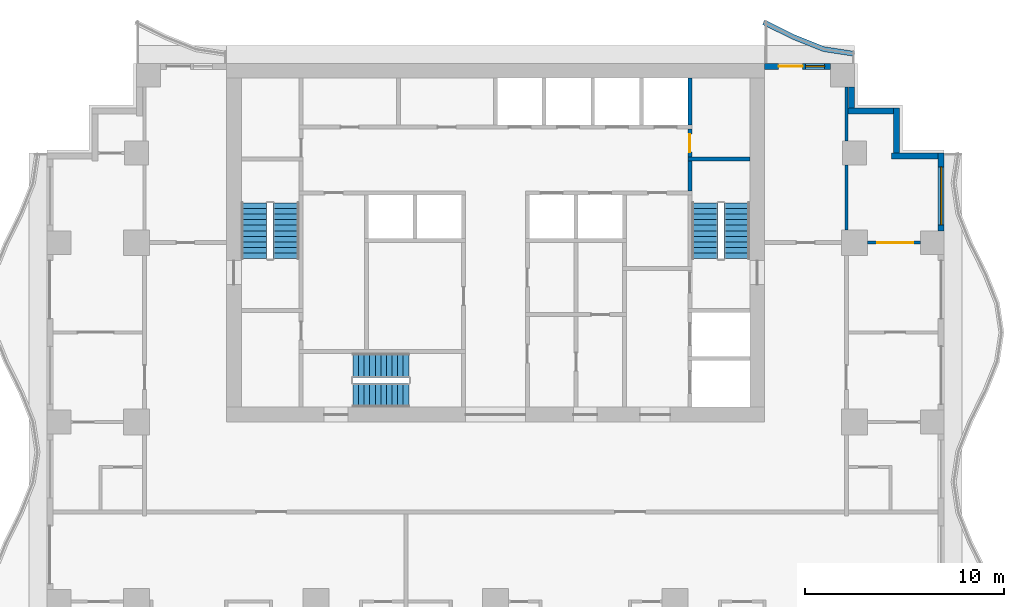
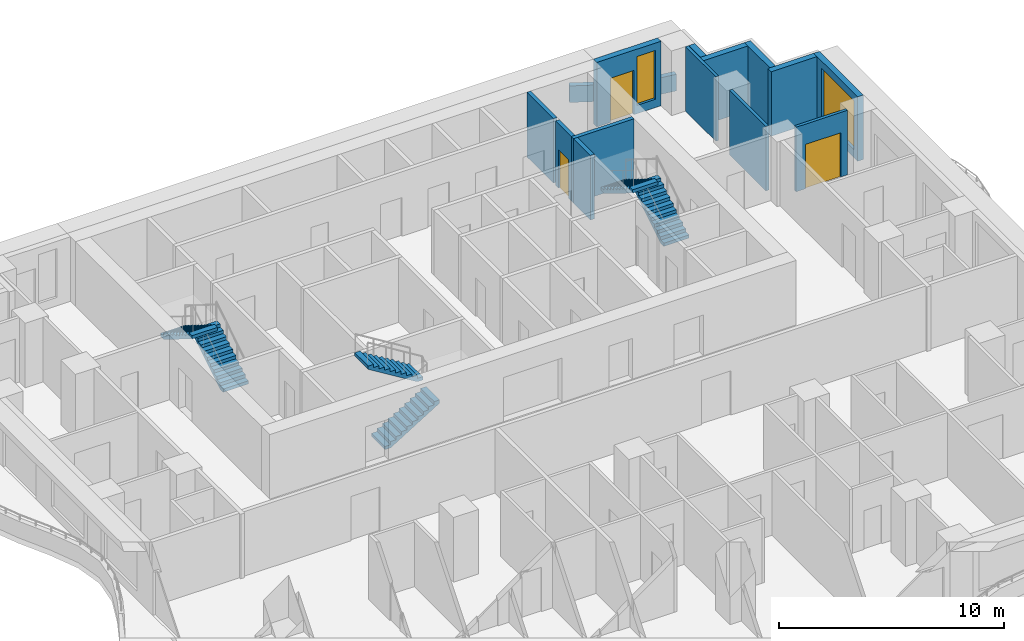
# One storey, part 6 of 10: 14 walls, 6 stair flights, 3 doors, 2 windows, 5 openings, 3 elements without a shape of their own.
"""IFC4 building model written with IfcOpenShell, lengths in metres."""

from ifc_helpers import new_model, si_unit, direction, frame, frame_2d, origin, place, context, subcontext, project, spatial, polyline, rectangle, outline, extrude, material, layer, layer_set, type_object, element, fill, aggregate, save


model = new_model("IFC4")

# Units and contexts
model_context = context("Model", 3, precision=1e-05, world=origin(), true_north=direction((0.0, 1.0)))
body_context = subcontext(model_context, "Body", "Model", "MODEL_VIEW")
ifc_project = project(units=[si_unit("LENGTHUNIT", "METRE"), si_unit("AREAUNIT", "SQUARE_METRE"), si_unit("VOLUMEUNIT", "CUBIC_METRE"), si_unit("PLANEANGLEUNIT", "RADIAN"), si_unit("MASSUNIT", "GRAM", prefix="KILO")], contexts=[model_context])

# Site, building, storey
site_placement = place(None, origin())
site = spatial("IfcSite", under=ifc_project, at=site_placement, CompositionType="ELEMENT")
building_placement = place(site_placement, origin())
building = spatial("IfcBuilding", under=site, at=building_placement, Name="Orbiselva Terraces", CompositionType="ELEMENT")
storey_placement = place(building_placement, frame((0.0, 0.0, 136.4)))
storey = spatial("IfcBuildingStorey", under=building, at=storey_placement, Name="L34", CompositionType="ELEMENT", Elevation=136.4)

# Wall, opening, door
ifc_material_1 = material(Name="Masonry blockwork", Category="masonry")
ifc_layer_1 = layer(ifc_material_1, 0.2)
ifc_layer_set_1 = layer_set([ifc_layer_1], Name="Masonry blockwork")
wall_type_1 = type_object("IfcWallType", Name="CORE-WALL-PARTITION-200", PredefinedType="PARTITIONING", material=ifc_layer_set_1)
wall_1_placement = place(storey_placement, frame((9.75, 19.2, 0.0), z_axis=(0.0, 0.0, 1.0), x_axis=(0.0, -1.0, 0.0)))
wall_1 = element("IfcWall", 1, at=wall_1_placement, inside=storey, type_object=wall_type_1, Name="L34 core wall 46", PredefinedType="PARTITIONING", context=body_context, shape_type="SweptSolid", body=[
    extrude(rectangle(XDim=1.4, YDim=0.2, at=frame_2d((0.7, 0.0))), origin(), (0.0, 0.0, 1.0), 3.5),
])
opening_1_placement = place(wall_1_placement, frame((0.25, 0.0, 0.0)))
opening_1 = element("IfcOpeningElement", 2, at=opening_1_placement, cuts=wall_1, Name="Opening DR900", PredefinedType="OPENING", context=body_context, shape_type="SweptSolid", body=[
    extrude(rectangle(XDim=0.9, YDim=2.1, at=frame_2d((0.45, 1.05))), frame((0.0, 0.11, 0.0), z_axis=(0.0, -1.0, 0.0), x_axis=(1.0, 0.0, 0.0)), (0.0, 0.0, 1.0), 0.22),
])
ifc_material_2 = material(Name="Steel fire door", Category="steel")
door_type_1 = type_object("IfcDoorType", Name="ROOM DOOR 900", OperationType="NOTDEFINED", PredefinedType="DOOR", material=ifc_material_2)
door_1_placement = place(opening_1_placement, origin())
door_1 = element("IfcDoor", 3, at=door_1_placement, inside=storey, type_object=door_type_1, Name="L34 COMMS RISER ROOM door", OperationType="SINGLE_SWING_RIGHT", OverallHeight=2.1, OverallWidth=0.9, PredefinedType="DOOR", context=body_context, shape_type="SweptSolid", body=[
    extrude(rectangle(XDim=0.9, YDim=2.1, at=frame_2d((0.45, 1.05))), frame((0.0, 0.025, 0.0), z_axis=(0.0, -1.0, 0.0), x_axis=(1.0, 0.0, 0.0)), (0.0, 0.0, 1.0), 0.05),
])
fill(opening_1, door_1)

# Walls
ifc_material_3 = material(Name="Concrete C40/50", Category="concrete")
ifc_layer_2 = layer(ifc_material_3, 0.2)
ifc_layer_set_2 = layer_set([ifc_layer_2], Name="Concrete C40/50")
wall_type_2 = type_object("IfcWallType", Name="CORE-WALL-SHAFT-200", PredefinedType="PARTITIONING", material=ifc_layer_set_2)
wall_2_placement = place(storey_placement, frame((9.75, 19.4, 0.0), z_axis=(0.0, 0.0, 1.0), x_axis=(0.0, 1.0, 0.0)))
element("IfcWall", 4, at=wall_2_placement, inside=storey, type_object=wall_type_2, Name="L34 core wall 47", PredefinedType="PARTITIONING", context=body_context, shape_type="SweptSolid", body=[
    extrude(rectangle(XDim=2.35, YDim=0.2, at=frame_2d((1.175, 0.0))), origin(), (0.0, 0.0, 1.0), 3.5),
])
ifc_material_4 = material(Name="Concrete C60/75", Category="concrete")
ifc_layer_3 = layer(ifc_material_4, 0.2)
ifc_layer_set_3 = layer_set([ifc_layer_3], Name="Concrete C60/75")
wall_type_3 = type_object("IfcWallType", Name="CORE-WALL-SHEAR-200", PredefinedType="SHEAR", material=ifc_layer_set_3)
wall_3_placement = place(storey_placement, frame((9.75, 16.1, 0.0), z_axis=(0.0, 0.0, 1.0), x_axis=(0.0, 1.0, 0.0)))
element("IfcWall", 5, at=wall_3_placement, inside=storey, type_object=wall_type_3, Name="L34 core wall 44", PredefinedType="SHEAR", context=body_context, shape_type="SweptSolid", body=[
    extrude(rectangle(XDim=1.5, YDim=0.2, at=frame_2d((0.75, 0.0))), origin(), (0.0, 0.0, 1.0), 3.5),
])
wall_4_placement = place(storey_placement, frame((9.65, 17.7, 0.0), z_axis=(0.0, 0.0, 1.0), x_axis=(1.0, 0.0, 0.0)))
element("IfcWall", 6, at=wall_4_placement, inside=storey, type_object=wall_type_3, Name="L34 core wall 45", PredefinedType="SHEAR", context=body_context, shape_type="SweptSolid", body=[
    extrude(rectangle(XDim=3.1, YDim=0.2, at=frame_2d((1.55, 0.0))), origin(), (0.0, 0.0, 1.0), 3.5),
])
ifc_layer_4 = layer(ifc_material_3, 0.25)
ifc_layer_set_4 = layer_set([ifc_layer_4], Name="Concrete C40/50")
wall_type_4 = type_object("IfcWallType", Name="ENV-PLANTER-250x900", PredefinedType="USERDEFINED", material=ifc_layer_set_4)
wall_5_placement = place(storey_placement, origin())
element("IfcWall", 7, at=wall_5_placement, inside=storey, type_object=wall_type_4, Name="Balcony planter L34 NE", ObjectType="PLANTER", PredefinedType="USERDEFINED", context=body_context, shape_type="SweptSolid", body=[
    extrude(outline(polyline([(18.0, 23.1), (16.5, 23.32918), (15.0, 23.92918), (13.5, 24.67082), (13.389197, 24.446716), (14.898017, 23.700715), (16.433834, 23.086388), (17.962242, 22.852868), (18.0, 23.1)])), origin(), (0.0, 0.0, 1.0), 0.9),
])

# Wall, opening, window
ifc_material_5 = material(Name="Terracotta cladding on masonry backing", Category="masonry")
ifc_layer_5 = layer(ifc_material_5, 0.3)
ifc_layer_set_5 = layer_set([ifc_layer_5], Name="Terracotta cladding on masonry backing")
wall_type_5 = type_object("IfcWallType", Name="ENV-WALL-TERRACOTTA-300", PredefinedType="SOLIDWALL", material=ifc_layer_set_5)
wall_6_placement = place(storey_placement, frame((22.35, 18.0, 0.0), z_axis=(0.0, 0.0, 1.0), x_axis=(0.0, -1.0, 0.0)))
wall_6 = element("IfcWall", 8, at=wall_6_placement, inside=storey, type_object=wall_type_5, Name="Facade wall L34 E", PredefinedType="SOLIDWALL", context=body_context, shape_type="SweptSolid", body=[
    extrude(rectangle(XDim=3.9, YDim=0.3, at=frame_2d((1.95, 0.0))), origin(), (0.0, 0.0, 1.0), 3.5),
])
opening_2_placement = place(wall_6_placement, frame((0.7, 0.0, 0.45)))
opening_2 = element("IfcOpeningElement", 9, at=opening_2_placement, cuts=wall_6, Name="Opening WN8", PredefinedType="OPENING", context=body_context, shape_type="SweptSolid", body=[
    extrude(rectangle(XDim=2.9, YDim=2.65, at=frame_2d((1.45, 1.325))), frame((0.0, 0.16, 0.0), z_axis=(0.0, -1.0, 0.0), x_axis=(1.0, 0.0, 0.0)), (0.0, 0.0, 1.0), 0.32),
])
ifc_material_6 = material(Name="Clear low-e glazing in aluminium frame", Category="aluminium")
window_type_1 = type_object("IfcWindowType", Name="WINDOW 2900 X 2650 S450", PartitioningType="TRIPLE_PANEL_VERTICAL", PredefinedType="WINDOW", material=ifc_material_6)
window_1_placement = place(opening_2_placement, origin())
window_1 = element("IfcWindow", 10, at=window_1_placement, inside=storey, type_object=window_type_1, Name="Window L34 E", OverallHeight=2.65, OverallWidth=2.9, PartitioningType="SINGLE_PANEL", PredefinedType="WINDOW", context=body_context, shape_type="SweptSolid", body=[
    extrude(rectangle(XDim=2.9, YDim=2.65, at=frame_2d((1.45, 1.325))), frame((0.0, 0.03, 0.0), z_axis=(0.0, -1.0, 0.0), x_axis=(1.0, 0.0, 0.0)), (0.0, 0.0, 1.0), 0.06),
])
fill(opening_2, window_1)

# Walls
wall_7_placement = place(storey_placement, frame((19.85, 17.85, 0.0), z_axis=(0.0, 0.0, 1.0), x_axis=(1.0, 0.0, 0.0)))
element("IfcWall", 11, at=wall_7_placement, inside=storey, type_object=wall_type_5, Name="Facade wall L34 STEP", PredefinedType="SOLIDWALL", context=body_context, shape_type="SweptSolid", body=[
    extrude(rectangle(XDim=2.35, YDim=0.3, at=frame_2d((1.175, 0.0))), origin(), (0.0, 0.0, 1.0), 3.5),
])
wall_8_placement = place(storey_placement, frame((20.1, 20.25, 0.0), z_axis=(0.0, 0.0, 1.0), x_axis=(0.0, -1.0, 0.0)))
element("IfcWall", 12, at=wall_8_placement, inside=storey, type_object=wall_type_5, Name="Facade wall L34 STEP", PredefinedType="SOLIDWALL", context=body_context, shape_type="SweptSolid", body=[
    extrude(rectangle(XDim=2.25, YDim=0.3, at=frame_2d((1.125, 0.0))), origin(), (0.0, 0.0, 1.0), 3.5),
])
wall_9_placement = place(storey_placement, frame((17.6, 20.1, 0.0), z_axis=(0.0, 0.0, 1.0), x_axis=(1.0, 0.0, 0.0)))
element("IfcWall", 13, at=wall_9_placement, inside=storey, type_object=wall_type_5, Name="Facade wall L34 STEP", PredefinedType="SOLIDWALL", context=body_context, shape_type="SweptSolid", body=[
    extrude(rectangle(XDim=2.35, YDim=0.3, at=frame_2d((1.175, 0.0))), origin(), (0.0, 0.0, 1.0), 3.5),
])
wall_10_placement = place(storey_placement, frame((17.85, 21.3, 0.0), z_axis=(0.0, 0.0, 1.0), x_axis=(0.0, -1.0, 0.0)))
element("IfcWall", 14, at=wall_10_placement, inside=storey, type_object=wall_type_5, Name="Facade wall L34 STEP", PredefinedType="SOLIDWALL", context=body_context, shape_type="SweptSolid", body=[
    extrude(rectangle(XDim=1.05, YDim=0.3, at=frame_2d((0.525, 0.0))), origin(), (0.0, 0.0, 1.0), 3.5),
])

# Wall, openings, door, window
wall_11_placement = place(storey_placement, frame((13.5, 22.35, 0.0), z_axis=(0.0, 0.0, 1.0), x_axis=(1.0, 0.0, 0.0)))
wall_11 = element("IfcWall", 15, at=wall_11_placement, inside=storey, type_object=wall_type_5, Name="Facade wall L34 NE", PredefinedType="SOLIDWALL", context=body_context, shape_type="SweptSolid", body=[
    extrude(rectangle(XDim=3.3, YDim=0.3, at=frame_2d((1.65, 0.0))), origin(), (0.0, 0.0, 1.0), 3.5),
])
opening_3_placement = place(wall_11_placement, frame((2.05, 0.0, 0.45)))
opening_3 = element("IfcOpeningElement", 16, at=opening_3_placement, cuts=wall_11, Name="Opening WN9", PredefinedType="OPENING", context=body_context, shape_type="SweptSolid", body=[
    extrude(rectangle(XDim=0.95, YDim=2.65, at=frame_2d((0.475, 1.325))), frame((0.0, 0.16, 0.0), z_axis=(0.0, -1.0, 0.0), x_axis=(1.0, 0.0, 0.0)), (0.0, 0.0, 1.0), 0.32),
])
opening_4_placement = place(wall_11_placement, frame((0.7, 0.0, 0.0)))
opening_4 = element("IfcOpeningElement", 17, at=opening_4_placement, cuts=wall_11, Name="Opening Z3-B-E07", PredefinedType="OPENING", context=body_context, shape_type="SweptSolid", body=[
    extrude(rectangle(XDim=1.2, YDim=2.4, at=frame_2d((0.6, 1.2))), frame((0.0, 0.16, 0.0), z_axis=(0.0, -1.0, 0.0), x_axis=(1.0, 0.0, 0.0)), (0.0, 0.0, 1.0), 0.32),
])
door_type_2 = type_object("IfcDoorType", Name="BALCONY DOOR 1200 X 2400", OperationType="DOUBLE_DOOR_SLIDING", PredefinedType="DOOR", material=ifc_material_6)
door_2_placement = place(opening_4_placement, origin())
door_2 = element("IfcDoor", 18, at=door_2_placement, inside=storey, type_object=door_type_2, Name="Z3-B-E07", OperationType="SINGLE_SWING_LEFT", OverallHeight=2.4, OverallWidth=1.2, PredefinedType="DOOR", context=body_context, shape_type="SweptSolid", body=[
    extrude(rectangle(XDim=1.2, YDim=2.4, at=frame_2d((0.6, 1.2))), frame((0.0, 0.025, 0.0), z_axis=(0.0, -1.0, 0.0), x_axis=(1.0, 0.0, 0.0)), (0.0, 0.0, 1.0), 0.05),
])
fill(opening_4, door_2)
window_type_2 = type_object("IfcWindowType", Name="WINDOW 950 X 2650 S450", PartitioningType="TRIPLE_PANEL_VERTICAL", PredefinedType="WINDOW", material=ifc_material_6)
window_2_placement = place(opening_3_placement, origin())
window_2 = element("IfcWindow", 19, at=window_2_placement, inside=storey, type_object=window_type_2, Name="Window L34 NE", OverallHeight=2.65, OverallWidth=0.95, PartitioningType="SINGLE_PANEL", PredefinedType="WINDOW", context=body_context, shape_type="SweptSolid", body=[
    extrude(rectangle(XDim=0.95, YDim=2.65, at=frame_2d((0.475, 1.325))), frame((0.0, 0.03, 0.0), z_axis=(0.0, -1.0, 0.0), x_axis=(1.0, 0.0, 0.0)), (0.0, 0.0, 1.0), 0.06),
])
fill(opening_3, window_2)

# Wall, opening, door
ifc_material_7 = material(Name="Plasterboard on steel stud partition", Category="steel")
ifc_layer_6 = layer(ifc_material_7, 0.15)
ifc_layer_set_6 = layer_set([ifc_layer_6], Name="Plasterboard on steel stud partition")
wall_type_6 = type_object("IfcWallType", Name="UNIT-PARTITION-150", PredefinedType="PARTITIONING", material=ifc_layer_set_6)
wall_12_placement = place(storey_placement, frame((18.65, 13.5, 0.0), z_axis=(0.0, 0.0, 1.0), x_axis=(1.0, 0.0, 0.0)))
wall_12 = element("IfcWall", 20, at=wall_12_placement, inside=storey, type_object=wall_type_6, Name="PARTITION L34-038", PredefinedType="PARTITIONING", context=body_context, shape_type="SweptSolid", body=[
    extrude(rectangle(XDim=2.65, YDim=0.15, at=frame_2d((1.325, 0.0))), origin(), (0.0, 0.0, 1.0), 3.5),
])
opening_5_placement = place(wall_12_placement, frame((0.5, 0.0, 0.0)))
opening_5 = element("IfcOpeningElement", 21, at=opening_5_placement, cuts=wall_12, Name="Opening Z3-B-12", PredefinedType="OPENING", context=body_context, shape_type="SweptSolid", body=[
    extrude(rectangle(XDim=1.8, YDim=2.4, at=frame_2d((0.9, 1.2))), frame((0.0, 0.085, 0.0), z_axis=(0.0, -1.0, 0.0), x_axis=(1.0, 0.0, 0.0)), (0.0, 0.0, 1.0), 0.17),
])
ifc_material_8 = material(Name="Painted timber door leaf", Category="wood")
door_type_3 = type_object("IfcDoorType", Name="DOUBLE DOOR 1800", OperationType="NOTDEFINED", PredefinedType="DOOR", material=ifc_material_8)
door_3_placement = place(opening_5_placement, origin())
door_3 = element("IfcDoor", 22, at=door_3_placement, inside=storey, type_object=door_type_3, Name="Z3-B-12", OperationType="DOUBLE_DOOR_SINGLE_SWING", OverallHeight=2.4, OverallWidth=1.8, PredefinedType="DOOR", context=body_context, shape_type="SweptSolid", body=[
    extrude(rectangle(XDim=1.8, YDim=2.4, at=frame_2d((0.9, 1.2))), frame((0.0, 0.025, 0.0), z_axis=(0.0, -1.0, 0.0), x_axis=(1.0, 0.0, 0.0)), (0.0, 0.0, 1.0), 0.05),
])
fill(opening_5, door_3)

# Walls
wall_13_placement = place(storey_placement, frame((17.6, 14.15, 0.0), z_axis=(0.0, 0.0, 1.0), x_axis=(0.0, 1.0, 0.0)))
element("IfcWall", 23, at=wall_13_placement, inside=storey, type_object=wall_type_6, Name="PARTITION L34-066", PredefinedType="PARTITIONING", context=body_context, shape_type="SweptSolid", body=[
    extrude(rectangle(XDim=3.25, YDim=0.15, at=frame_2d((1.625, 0.0))), origin(), (0.0, 0.0, 1.0), 3.5),
])
wall_14_placement = place(storey_placement, frame((17.6, 18.6, 0.0), z_axis=(0.0, 0.0, 1.0), x_axis=(0.0, 1.0, 0.0)))
element("IfcWall", 24, at=wall_14_placement, inside=storey, type_object=wall_type_6, Name="PARTITION L34-067", PredefinedType="PARTITIONING", context=body_context, shape_type="SweptSolid", body=[
    extrude(rectangle(XDim=2.7, YDim=0.15, at=frame_2d((1.35, 0.0))), origin(), (0.0, 0.0, 1.0), 3.5),
])

# Stair, stair flights
stair_type_1 = type_object("IfcStairType", Name="CORE-STAIR-1200", PredefinedType="HALF_TURN_STAIR", material=ifc_material_3)
stair_1_placement = place(storey_placement, origin())
stair_1 = element("IfcStair", 25, at=stair_1_placement, inside=storey, type_object=stair_type_1, Name="L34 Exit Stair S3", PredefinedType="HALF_TURN_STAIR")
stair_flight_type_1 = type_object("IfcStairFlightType", Name="CORE-STAIR-FLIGHT-1200", PredefinedType="STRAIGHT", material=ifc_material_3)
stair_flight_1_placement = place(storey_placement, frame((-7.15, 5.85, 0.0), z_axis=(0.0, 0.0, 1.0), x_axis=(1.0, 0.0, 0.0)))
stair_flight_1 = element("IfcStairFlight", 26, at=stair_flight_1_placement, type_object=stair_flight_type_1, Name="S3 flight 1", NumberOfRisers=11, NumberOfTreads=10, PredefinedType="STRAIGHT", RiserHeight=0.172727273, TreadLength=0.28, context=body_context, shape_type="SweptSolid", body=[
    extrude(outline(polyline([(0.0, 0.0), (0.0, 0.172727), (0.28, 0.172727), (0.28, 0.345455), (0.56, 0.345455), (0.56, 0.518182), (0.84, 0.518182), (0.84, 0.690909), (1.12, 0.690909), (1.12, 0.863636), (1.4, 0.863636), (1.4, 1.036364), (1.68, 1.036364), (1.68, 1.209091), (1.96, 1.209091), (1.96, 1.381818), (2.24, 1.381818), (2.24, 1.554545), (2.52, 1.554545), (2.52, 1.727273), (2.8, 1.727273), (2.8, 1.9), (2.8, 1.551028), (0.285702, 0.0), (0.0, 0.0)])), frame((0.0, 0.6, 0.0), z_axis=(0.0, -1.0, 0.0), x_axis=(1.0, 0.0, 0.0)), (0.0, 0.0, 1.0), 1.2),
])
stair_flight_2_placement = place(storey_placement, frame((-4.35, 7.35, 1.9), z_axis=(0.0, 0.0, 1.0), x_axis=(-1.0, 0.0, 0.0)))
stair_flight_2 = element("IfcStairFlight", 27, at=stair_flight_2_placement, type_object=stair_flight_type_1, Name="S3 flight 2", NumberOfRisers=11, NumberOfTreads=10, PredefinedType="STRAIGHT", RiserHeight=0.172727273, TreadLength=0.28, context=body_context, shape_type="SweptSolid", body=[
    extrude(outline(polyline([(0.0, 0.0), (0.0, 0.172727), (0.28, 0.172727), (0.28, 0.345455), (0.56, 0.345455), (0.56, 0.518182), (0.84, 0.518182), (0.84, 0.690909), (1.12, 0.690909), (1.12, 0.863636), (1.4, 0.863636), (1.4, 1.036364), (1.68, 1.036364), (1.68, 1.209091), (1.96, 1.209091), (1.96, 1.381818), (2.24, 1.381818), (2.24, 1.554545), (2.52, 1.554545), (2.52, 1.727273), (2.8, 1.727273), (2.8, 1.9), (2.8, 1.551028), (0.285702, 0.0), (0.0, 0.0)])), frame((0.0, 0.6, 0.0), z_axis=(0.0, -1.0, 0.0), x_axis=(1.0, 0.0, 0.0)), (0.0, 0.0, 1.0), 1.2),
])
aggregate(stair_1, [stair_flight_1, stair_flight_2])

stair_type_2 = type_object("IfcStairType", Name="CORE-STAIR-1300", PredefinedType="HALF_TURN_STAIR", material=ifc_material_3)
stair_2_placement = place(storey_placement, origin())
stair_2 = element("IfcStair", 28, at=stair_2_placement, inside=storey, type_object=stair_type_2, Name="L34 Exit Stair S1", PredefinedType="HALF_TURN_STAIR")
stair_flight_type_2 = type_object("IfcStairFlightType", Name="CORE-STAIR-FLIGHT-1300", PredefinedType="STRAIGHT", material=ifc_material_3)
stair_flight_3_placement = place(storey_placement, frame((-10.5, 12.7, 0.0), z_axis=(0.0, 0.0, 1.0), x_axis=(0.0, 1.0, 0.0)))
stair_flight_3 = element("IfcStairFlight", 29, at=stair_flight_3_placement, type_object=stair_flight_type_2, Name="S1 flight 1", NumberOfRisers=11, NumberOfTreads=10, PredefinedType="STRAIGHT", RiserHeight=0.172727273, TreadLength=0.28, context=body_context, shape_type="SweptSolid", body=[
    extrude(outline(polyline([(0.0, 0.0), (0.0, 0.172727), (0.28, 0.172727), (0.28, 0.345455), (0.56, 0.345455), (0.56, 0.518182), (0.84, 0.518182), (0.84, 0.690909), (1.12, 0.690909), (1.12, 0.863636), (1.4, 0.863636), (1.4, 1.036364), (1.68, 1.036364), (1.68, 1.209091), (1.96, 1.209091), (1.96, 1.381818), (2.24, 1.381818), (2.24, 1.554545), (2.52, 1.554545), (2.52, 1.727273), (2.8, 1.727273), (2.8, 1.9), (2.8, 1.551028), (0.285702, 0.0), (0.0, 0.0)])), frame((0.0, 0.65, 0.0), z_axis=(0.0, -1.0, 0.0), x_axis=(1.0, 0.0, 0.0)), (0.0, 0.0, 1.0), 1.3),
])
stair_flight_4_placement = place(storey_placement, frame((-12.1, 15.5, 1.9), z_axis=(0.0, 0.0, 1.0), x_axis=(0.0, -1.0, 0.0)))
stair_flight_4 = element("IfcStairFlight", 30, at=stair_flight_4_placement, type_object=stair_flight_type_2, Name="S1 flight 2", NumberOfRisers=11, NumberOfTreads=10, PredefinedType="STRAIGHT", RiserHeight=0.172727273, TreadLength=0.28, context=body_context, shape_type="SweptSolid", body=[
    extrude(outline(polyline([(0.0, 0.0), (0.0, 0.172727), (0.28, 0.172727), (0.28, 0.345455), (0.56, 0.345455), (0.56, 0.518182), (0.84, 0.518182), (0.84, 0.690909), (1.12, 0.690909), (1.12, 0.863636), (1.4, 0.863636), (1.4, 1.036364), (1.68, 1.036364), (1.68, 1.209091), (1.96, 1.209091), (1.96, 1.381818), (2.24, 1.381818), (2.24, 1.554545), (2.52, 1.554545), (2.52, 1.727273), (2.8, 1.727273), (2.8, 1.9), (2.8, 1.551028), (0.285702, 0.0), (0.0, 0.0)])), frame((0.0, 0.65, 0.0), z_axis=(0.0, -1.0, 0.0), x_axis=(1.0, 0.0, 0.0)), (0.0, 0.0, 1.0), 1.3),
])
aggregate(stair_2, [stair_flight_3, stair_flight_4])

stair_3_placement = place(storey_placement, origin())
stair_3 = element("IfcStair", 31, at=stair_3_placement, inside=storey, type_object=stair_type_2, Name="L34 Exit Stair S2", PredefinedType="HALF_TURN_STAIR")
stair_flight_5_placement = place(storey_placement, frame((12.1, 12.7, 0.0), z_axis=(0.0, 0.0, 1.0), x_axis=(0.0, 1.0, 0.0)))
stair_flight_5 = element("IfcStairFlight", 32, at=stair_flight_5_placement, type_object=stair_flight_type_2, Name="S2 flight 1", NumberOfRisers=11, NumberOfTreads=10, PredefinedType="STRAIGHT", RiserHeight=0.172727273, TreadLength=0.28, context=body_context, shape_type="SweptSolid", body=[
    extrude(outline(polyline([(0.0, 0.0), (0.0, 0.172727), (0.28, 0.172727), (0.28, 0.345455), (0.56, 0.345455), (0.56, 0.518182), (0.84, 0.518182), (0.84, 0.690909), (1.12, 0.690909), (1.12, 0.863636), (1.4, 0.863636), (1.4, 1.036364), (1.68, 1.036364), (1.68, 1.209091), (1.96, 1.209091), (1.96, 1.381818), (2.24, 1.381818), (2.24, 1.554545), (2.52, 1.554545), (2.52, 1.727273), (2.8, 1.727273), (2.8, 1.9), (2.8, 1.551028), (0.285702, 0.0), (0.0, 0.0)])), frame((0.0, 0.65, 0.0), z_axis=(0.0, -1.0, 0.0), x_axis=(1.0, 0.0, 0.0)), (0.0, 0.0, 1.0), 1.3),
])
stair_flight_6_placement = place(storey_placement, frame((10.5, 15.5, 1.9), z_axis=(0.0, 0.0, 1.0), x_axis=(0.0, -1.0, 0.0)))
stair_flight_6 = element("IfcStairFlight", 33, at=stair_flight_6_placement, type_object=stair_flight_type_2, Name="S2 flight 2", NumberOfRisers=11, NumberOfTreads=10, PredefinedType="STRAIGHT", RiserHeight=0.172727273, TreadLength=0.28, context=body_context, shape_type="SweptSolid", body=[
    extrude(outline(polyline([(0.0, 0.0), (0.0, 0.172727), (0.28, 0.172727), (0.28, 0.345455), (0.56, 0.345455), (0.56, 0.518182), (0.84, 0.518182), (0.84, 0.690909), (1.12, 0.690909), (1.12, 0.863636), (1.4, 0.863636), (1.4, 1.036364), (1.68, 1.036364), (1.68, 1.209091), (1.96, 1.209091), (1.96, 1.381818), (2.24, 1.381818), (2.24, 1.554545), (2.52, 1.554545), (2.52, 1.727273), (2.8, 1.727273), (2.8, 1.9), (2.8, 1.551028), (0.285702, 0.0), (0.0, 0.0)])), frame((0.0, 0.65, 0.0), z_axis=(0.0, -1.0, 0.0), x_axis=(1.0, 0.0, 0.0)), (0.0, 0.0, 1.0), 1.3),
])
aggregate(stair_3, [stair_flight_5, stair_flight_6])

save(model, "model.ifc")
